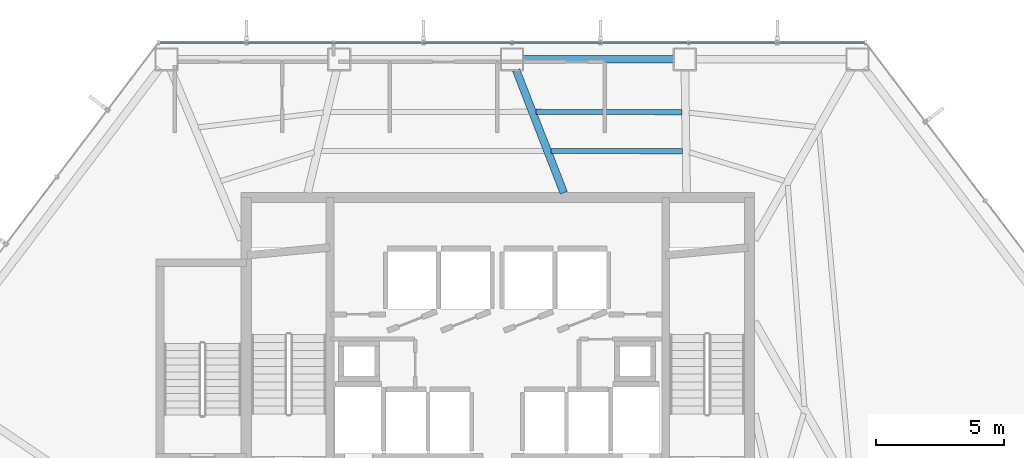
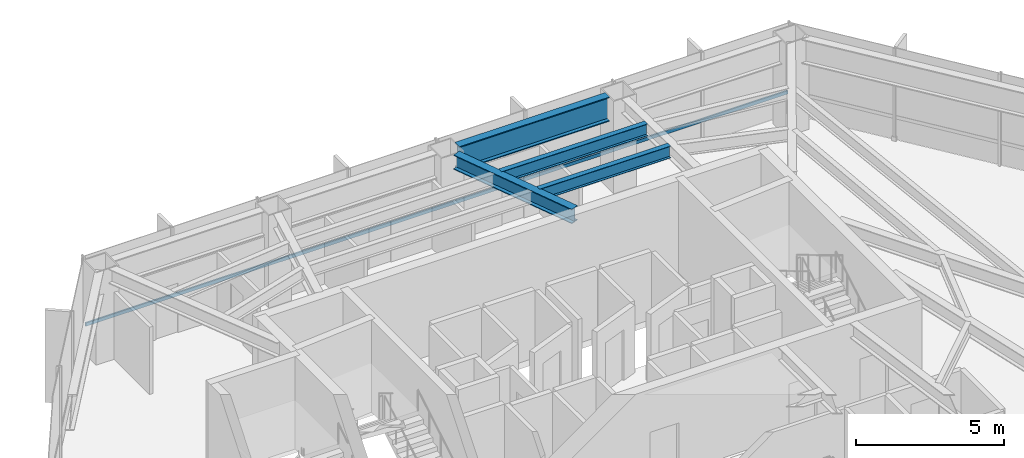
# One storey, part 12 of 24: 4 beams, 1 member, 1 element without a shape of its own.
"""IFC4 building model written with IfcOpenShell, lengths in metres."""

from ifc_helpers import new_model, si_unit, direction, frame, origin, origin_2d, place, context, subcontext, project, spatial, hollow_rectangle, i_section, extrude, material, layer, layer_set, material_profile, profile_set, type_object, element, aggregate, save


model = new_model("IFC4")

# Units and contexts
model_context = context("Model", 3, precision=1e-05, world=origin(), true_north=direction((0.0, 1.0)))
body_context = subcontext(model_context, "Body", "Model", "MODEL_VIEW")
ifc_project = project(units=[si_unit("LENGTHUNIT", "METRE"), si_unit("AREAUNIT", "SQUARE_METRE"), si_unit("VOLUMEUNIT", "CUBIC_METRE"), si_unit("PLANEANGLEUNIT", "RADIAN"), si_unit("MASSUNIT", "GRAM", prefix="KILO")], contexts=[model_context])

# Site, building, storey
site_placement = place(None, origin())
site = spatial("IfcSite", under=ifc_project, at=site_placement, CompositionType="ELEMENT")
building_placement = place(site_placement, origin())
building = spatial("IfcBuilding", under=site, at=building_placement, Name="Zarrinselat Tower", CompositionType="ELEMENT")
storey_placement = place(building_placement, frame((0.0, 0.0, 100.97998046875)))
storey = spatial("IfcBuildingStorey", under=building, at=storey_placement, Name="L24", CompositionType="ELEMENT", Elevation=100.97998046875)

# Beams
ifc_material_1 = material(Name="Steel S355J2", Category="steel")
ifc_material_profile_1 = material_profile(ifc_material_1, i_section(OverallWidth=0.300048828125, OverallDepth=0.60009765625, WebThickness=0.015380859375, FlangeThickness=0.030029296875, at=origin_2d()), Name="HEB 600")
ifc_profile_set_1 = profile_set([ifc_material_profile_1], Name="Steel S355J2")
beam_type_1 = type_object("IfcBeamType", Name="BM-HEB600", PredefinedType="BEAM", material=ifc_profile_set_1)
beam_1_placement = place(storey_placement, frame((39.142578125, 48.4287109375, 3.52001953125), z_axis=(0.361618079652, -0.932326318661, 0.0), x_axis=(0.932326318661, 0.361618079652, 0.0)))
element("IfcBeam", 1, at=beam_1_placement, inside=storey, type_object=beam_type_1, Name="L24 Radial Primary Girder RG03", PredefinedType="BEAM", context=body_context, shape_type="SweptSolid", body=[
    extrude(i_section(OverallWidth=0.300048828125, OverallDepth=0.60009765625, WebThickness=0.015380859375, FlangeThickness=0.030029296875, at=origin_2d()), origin(), (0.0, 0.0, 1.0), 5.136474609375),
])
ifc_material_2 = material(Name="Steel S460M", Category="steel")
ifc_material_profile_2 = material_profile(ifc_material_2, i_section(OverallWidth=0.302001953125, OverallDepth=1.008056640625, WebThickness=0.02099609375, FlangeThickness=0.0400390625, at=origin_2d()), Name="HEM 1000")
ifc_profile_set_2 = profile_set([ifc_material_profile_2], Name="Steel S460M")
beam_type_2 = type_object("IfcBeamType", Name="BM-HEM1000", PredefinedType="BEAM", material=ifc_profile_set_2)
beam_2_placement = place(storey_placement, frame((39.4169921875, 48.85009765625, 3.31591796875), z_axis=(1.0, 0.0, 0.0), x_axis=(0.0, 1.0, 0.0)))
element("IfcBeam", 2, at=beam_2_placement, inside=storey, type_object=beam_type_2, Name="L24 Perimeter Spandrel Girder SP02", PredefinedType="BEAM", context=body_context, shape_type="SweptSolid", body=[
    extrude(i_section(OverallWidth=0.302001953125, OverallDepth=1.008056640625, WebThickness=0.02099609375, FlangeThickness=0.0400390625, at=origin_2d()), origin(), (0.0, 0.0, 1.0), 5.870361328125),
])
ifc_material_3 = material(Name="Steel S355J2", Category="steel")
ifc_material_profile_3 = material_profile(ifc_material_3, i_section(OverallWidth=0.199951171875, OverallDepth=0.5, WebThickness=0.01025390625, FlangeThickness=0.01611328125, at=origin_2d()), Name="IPE 500")
ifc_profile_set_3 = profile_set([ifc_material_profile_3], Name="Steel S355J2")
beam_type_3 = type_object("IfcBeamType", Name="BM-IPE500", PredefinedType="JOIST", material=ifc_profile_set_3)
beam_3_placement = place(storey_placement, frame((39.9140625, 46.800048828125, 3.570068359375), z_axis=(0.999994277188, -0.003383133395, 0.0), x_axis=(0.003383133395, 0.999994277188, 0.0)))
element("IfcBeam", 3, at=beam_3_placement, inside=storey, type_object=beam_type_3, Name="L24 Composite Floor Joist 7-1", PredefinedType="JOIST", context=body_context, shape_type="SweptSolid", body=[
    extrude(i_section(OverallWidth=0.199951171875, OverallDepth=0.5, WebThickness=0.01025390625, FlangeThickness=0.01611328125, at=origin_2d()), origin(), (0.0, 0.0, 1.0), 5.700927734375),
])
beam_4_placement = place(storey_placement, frame((40.508544921875, 45.267822265625, 3.570068359375), z_axis=(0.99999818681, -0.001904305045, 0.0), x_axis=(0.001904305045, 0.99999818681, 0.0)))
element("IfcBeam", 4, at=beam_4_placement, inside=storey, type_object=beam_type_3, Name="L24 Composite Floor Joist 7-2", PredefinedType="JOIST", context=body_context, shape_type="SweptSolid", body=[
    extrude(i_section(OverallWidth=0.199951171875, OverallDepth=0.5, WebThickness=0.01025390625, FlangeThickness=0.01611328125, at=origin_2d()), origin(), (0.0, 0.0, 1.0), 5.128173828125),
])

# Curtain wall, member
ifc_material_4 = material(Name="Extruded Aluminium Alloy EN AW-6063 T6", Category="aluminium")
ifc_layer = layer(ifc_material_4, 0.18505859375)
ifc_layer_set = layer_set([ifc_layer], Name="Extruded Aluminium Alloy EN AW-6063 T6")
curtain_wall_type = type_object("IfcCurtainWallType", Name="CWS-OFF", PredefinedType="NOTDEFINED", material=ifc_layer_set)
curtain_wall_placement = place(storey_placement, origin())
curtain_wall = element("IfcCurtainWall", 5, at=curtain_wall_placement, inside=storey, type_object=curtain_wall_type, Name="L24 Unitised Curtain Wall CW-L24-E01", PredefinedType="NOTDEFINED")
ifc_material_5 = material(Name="Extruded Aluminium Alloy EN AW-6063 T6", Category="aluminium")
ifc_material_profile_4 = material_profile(ifc_material_5, hollow_rectangle(XDim=0.06005859375, YDim=0.139892578125, WallThickness=0.00390625, at=origin_2d()), Name="RHS 140x60x4")
ifc_profile_set_4 = profile_set([ifc_material_profile_4], Name="Extruded Aluminium Alloy EN AW-6063 T6")
member_type = type_object("IfcMemberType", Name="MEM-CW-TRN", PredefinedType="USERDEFINED", material=ifc_profile_set_4)
member_placement = place(storey_placement, frame((52.70458984375, 49.5, 0.949951171875), z_axis=(-1.0, 0.0, 0.0), x_axis=(0.0, -1.0, 0.0)))
member = element("IfcMember", 6, at=member_placement, type_object=member_type, Name="CW-L24-E01 Transom 1", ObjectType="TRANSOM", PredefinedType="USERDEFINED", context=body_context, shape_type="SweptSolid", body=[
    extrude(hollow_rectangle(XDim=0.06005859375, YDim=0.139892578125, WallThickness=0.00390625, at=origin_2d()), origin(), (0.0, 0.0, 1.0), 27.450927734375),
])
aggregate(curtain_wall, [member])

save(model, "model.ifc")
